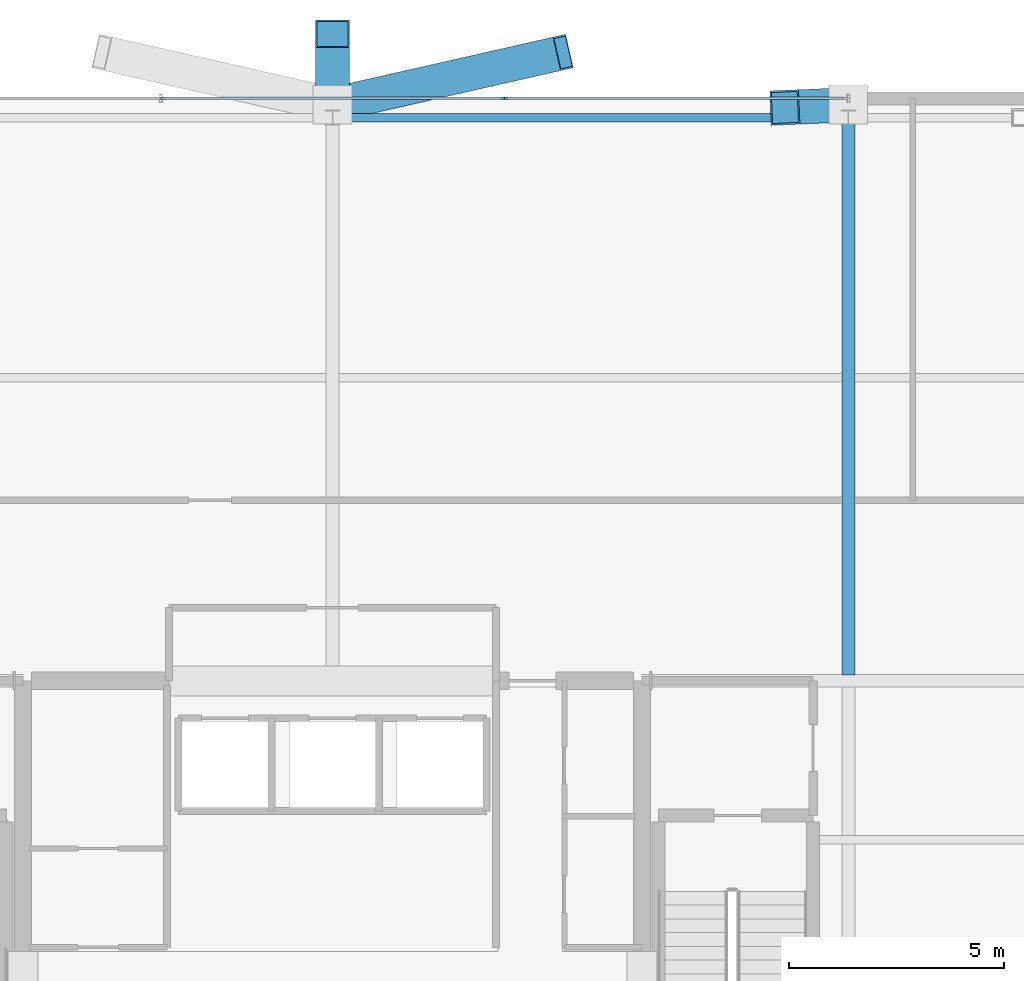
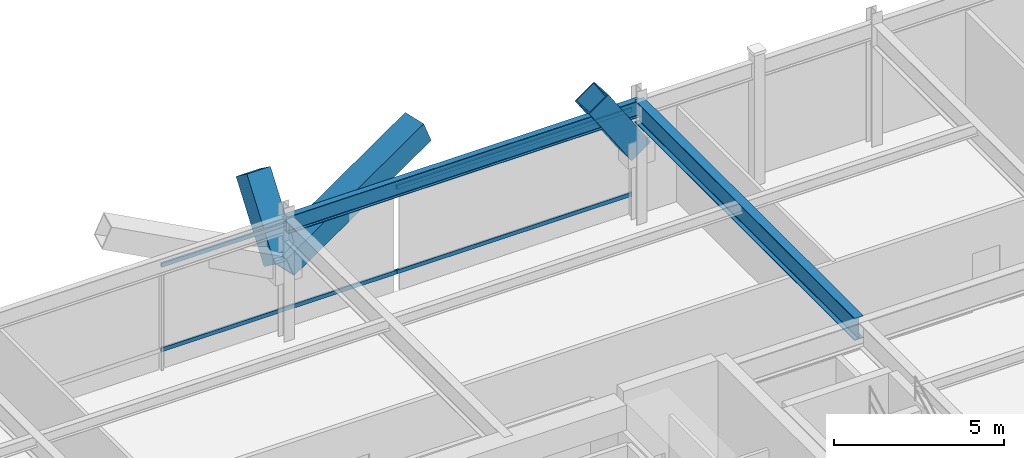
# One storey, part 11 of 21: 7 members, 2 beams, 1 element without a shape of its own.
"""IFC4 building model written with IfcOpenShell, lengths in metres."""

from ifc_helpers import new_model, si_unit, direction, frame, origin, origin_2d, place, context, subcontext, project, spatial, hollow_rectangle, i_section, extrude, material, layer, layer_set, material_profile, profile_set, type_object, element, aggregate, save


model = new_model("IFC4")

# Units and contexts
model_context = context("Model", 3, precision=1e-05, world=origin(), true_north=direction((0.0, 1.0)))
body_context = subcontext(model_context, "Body", "Model", "MODEL_VIEW")
ifc_project = project(units=[si_unit("LENGTHUNIT", "METRE"), si_unit("AREAUNIT", "SQUARE_METRE"), si_unit("VOLUMEUNIT", "CUBIC_METRE"), si_unit("PLANEANGLEUNIT", "RADIAN"), si_unit("MASSUNIT", "GRAM", prefix="KILO")], contexts=[model_context])

# Site, building, storey
site_placement = place(None, origin())
site = spatial("IfcSite", under=ifc_project, at=site_placement, CompositionType="ELEMENT")
building_placement = place(site_placement, origin())
building = spatial("IfcBuilding", under=site, at=building_placement, Name="Veldorina Hangang Commons", CompositionType="ELEMENT")
storey_placement = place(building_placement, frame((0.0, 0.0, 19.60009765625)))
storey = spatial("IfcBuildingStorey", under=building, at=storey_placement, Name="L04", CompositionType="ELEMENT", Elevation=19.60009765625)

# Beams
ifc_material_1 = material(Name="Steel SM460-TMC", Category="steel")
ifc_material_profile_1 = material_profile(ifc_material_1, i_section(OverallWidth=0.300048828125, OverallDepth=0.800048828125, WebThickness=0.013916015625, FlangeThickness=0.02587890625, FilletRadius=0.02197265625, at=origin_2d()), Name="H-800x300x14x26")
ifc_profile_set_1 = profile_set([ifc_material_profile_1], Name="Steel SM460-TMC")
beam_type_1 = type_object("IfcBeamType", Name="BM-PG800", PredefinedType="BEAM", material=ifc_profile_set_1)
beam_1_placement = place(storey_placement, frame((44.0, 31.590087890625, 4.0), z_axis=(0.0, 1.0, 0.0), x_axis=(-1.0, 0.0, 0.0)))
element("IfcBeam", 1, at=beam_1_placement, inside=storey, type_object=beam_type_1, Name="L04 north primary girder G7", PredefinedType="BEAM", context=body_context, shape_type="SweptSolid", body=[
    extrude(i_section(OverallWidth=0.300048828125, OverallDepth=0.800048828125, WebThickness=0.013916015625, FlangeThickness=0.02587890625, FilletRadius=0.02197265625, at=origin_2d()), origin(), (0.0, 0.0, 1.0), 12.9599609375),
])
ifc_material_2 = material(Name="Steel SM420-TMC", Category="steel")
ifc_material_profile_2 = material_profile(ifc_material_2, i_section(OverallWidth=0.199951171875, OverallDepth=0.60009765625, WebThickness=0.010986328125, FlangeThickness=0.01708984375, FilletRadius=0.01806640625, at=origin_2d()), Name="H-600x200x11x17")
ifc_profile_set_2 = profile_set([ifc_material_profile_2], Name="Steel SM420-TMC")
beam_type_2 = type_object("IfcBeamType", Name="BM-SPN600", PredefinedType="SPANDREL", material=ifc_profile_set_2)
beam_2_placement = place(storey_placement, frame((32.0, 44.550048828125, 4.099853515625), z_axis=(1.0, 0.0, 0.0), x_axis=(0.0, 1.0, 0.0)))
element("IfcBeam", 2, at=beam_2_placement, inside=storey, type_object=beam_type_2, Name="L04 north spandrel beam 4", PredefinedType="SPANDREL", context=body_context, shape_type="SweptSolid", body=[
    extrude(i_section(OverallWidth=0.199951171875, OverallDepth=0.60009765625, WebThickness=0.010986328125, FlangeThickness=0.01708984375, FilletRadius=0.01806640625, at=origin_2d()), origin(), (0.0, 0.0, 1.0), 12.0),
])

# Curtain wall, members
ifc_material_3 = material(Name="Glass Low-E Triple IGU", Category="glass")
ifc_layer = layer(ifc_material_3, 0.179931640625)
ifc_layer_set = layer_set([ifc_layer], Name="Glass Low-E Triple IGU")
curtain_wall_type = type_object("IfcCurtainWallType", Name="CW-SYS-POD", PredefinedType="NOTDEFINED", material=ifc_layer_set)
curtain_wall_placement = place(storey_placement, origin())
curtain_wall = element("IfcCurtainWall", 3, at=curtain_wall_placement, inside=storey, type_object=curtain_wall_type, Name="L04 unitised curtain wall CW-L04-N-CTR", PredefinedType="NOTDEFINED")
ifc_material_4 = material(Name="Aluminium Anodized AA6063-T6", Category="aluminium")
ifc_material_profile_3 = material_profile(ifc_material_4, hollow_rectangle(XDim=0.06005859375, YDim=0.139892578125, WallThickness=0.00341796875, at=origin_2d()), Name="ALU-RHS-140x60x3.5")
ifc_profile_set_3 = profile_set([ifc_material_profile_3], Name="Aluminium Anodized AA6063-T6")
member_type_1 = type_object("IfcMemberType", Name="CW-TRN-140", PredefinedType="USERDEFINED", material=ifc_profile_set_3)
member_1_placement = place(storey_placement, frame((44.0, 45.0, 0.699951171875), z_axis=(-1.0, 0.0, 0.0), x_axis=(0.0, -1.0, 0.0)))
member_1 = element("IfcMember", 4, at=member_1_placement, type_object=member_type_1, Name="CW-L04-N-CTR facet 1 transom 1", ObjectType="TRANSOM", PredefinedType="USERDEFINED", context=body_context, shape_type="SweptSolid", body=[
    extrude(hollow_rectangle(XDim=0.06005859375, YDim=0.139892578125, WallThickness=0.00341796875, at=origin_2d()), origin(), (0.0, 0.0, 1.0), 8.0),
])
member_2_placement = place(storey_placement, frame((44.0, 45.0, 3.739990234375), z_axis=(-1.0, 0.0, 0.0), x_axis=(0.0, -1.0, 0.0)))
member_2 = element("IfcMember", 5, at=member_2_placement, type_object=member_type_1, Name="CW-L04-N-CTR facet 1 transom 2", ObjectType="TRANSOM", PredefinedType="USERDEFINED", context=body_context, shape_type="SweptSolid", body=[
    extrude(hollow_rectangle(XDim=0.06005859375, YDim=0.139892578125, WallThickness=0.00341796875, at=origin_2d()), origin(), (0.0, 0.0, 1.0), 8.0),
])
member_3_placement = place(storey_placement, frame((36.0, 45.0, 0.699951171875), z_axis=(-1.0, 0.0, 0.0), x_axis=(0.0, -1.0, 0.0)))
member_3 = element("IfcMember", 6, at=member_3_placement, type_object=member_type_1, Name="CW-L04-N-CTR facet 2 transom 1", ObjectType="TRANSOM", PredefinedType="USERDEFINED", context=body_context, shape_type="SweptSolid", body=[
    extrude(hollow_rectangle(XDim=0.06005859375, YDim=0.139892578125, WallThickness=0.00341796875, at=origin_2d()), origin(), (0.0, 0.0, 1.0), 8.0),
])
member_4_placement = place(storey_placement, frame((36.0, 45.0, 3.739990234375), z_axis=(-1.0, 0.0, 0.0), x_axis=(0.0, -1.0, 0.0)))
member_4 = element("IfcMember", 7, at=member_4_placement, type_object=member_type_1, Name="CW-L04-N-CTR facet 2 transom 2", ObjectType="TRANSOM", PredefinedType="USERDEFINED", context=body_context, shape_type="SweptSolid", body=[
    extrude(hollow_rectangle(XDim=0.06005859375, YDim=0.139892578125, WallThickness=0.00341796875, at=origin_2d()), origin(), (0.0, 0.0, 1.0), 8.0),
])
aggregate(curtain_wall, [member_1, member_2, member_3, member_4])

# Members
ifc_material_5 = material(Name="Steel SM490-TMC", Category="steel")
ifc_material_profile_4 = material_profile(ifc_material_5, hollow_rectangle(XDim=0.800048828125, YDim=0.800048828125, WallThickness=0.0400390625, at=origin_2d()), Name="BOX-800x800x40")
ifc_profile_set_4 = profile_set([ifc_material_profile_4], Name="Steel SM490-TMC")
member_type_2 = type_object("IfcMemberType", Name="TR-BOX800", PredefinedType="BRACE", material=ifc_profile_set_4)
member_5_placement = place(storey_placement, frame((44.0, 44.85009765625, 2.5498046875), z_axis=(-0.548443978364, -0.023309095823, 0.835862362263), x_axis=(0.042462081417, -0.99909807909, 0.0)))
element("IfcMember", 8, at=member_5_placement, inside=storey, type_object=member_type_2, Name="L04 podium-to-transfer raking strut 06", PredefinedType="BRACE", context=body_context, shape_type="SweptSolid", body=[
    extrude(hollow_rectangle(XDim=0.800048828125, YDim=0.800048828125, WallThickness=0.0400390625, at=origin_2d()), origin(), (0.0, 0.0, 1.0), 2.69189453125),
])
member_6_placement = place(storey_placement, frame((32.0, 44.85009765625, 2.5498046875), z_axis=(0.902629292716, 0.2048424247, 0.378549786652), x_axis=(-0.221312278522, 0.975202991882, 0.0)))
element("IfcMember", 9, at=member_6_placement, inside=storey, type_object=member_type_2, Name="L04 podium-to-transfer raking strut 07", PredefinedType="BRACE", context=body_context, shape_type="SweptSolid", body=[
    extrude(hollow_rectangle(XDim=0.800048828125, YDim=0.800048828125, WallThickness=0.0400390625, at=origin_2d()), origin(), (0.0, 0.0, 1.0), 5.94384765625),
])
member_7_placement = place(storey_placement, frame((32.0, 44.85009765625, 2.5498046875), z_axis=(0.0, 0.591340902664, 0.806421686735), x_axis=(-1.0, 0.0, 0.0)))
element("IfcMember", 10, at=member_7_placement, inside=storey, type_object=member_type_2, Name="L04 podium-to-transfer raking strut 08", PredefinedType="BRACE", context=body_context, shape_type="SweptSolid", body=[
    extrude(hollow_rectangle(XDim=0.800048828125, YDim=0.800048828125, WallThickness=0.0400390625, at=origin_2d()), origin(), (0.0, 0.0, 1.0), 2.7900390625),
])

save(model, "model.ifc")
